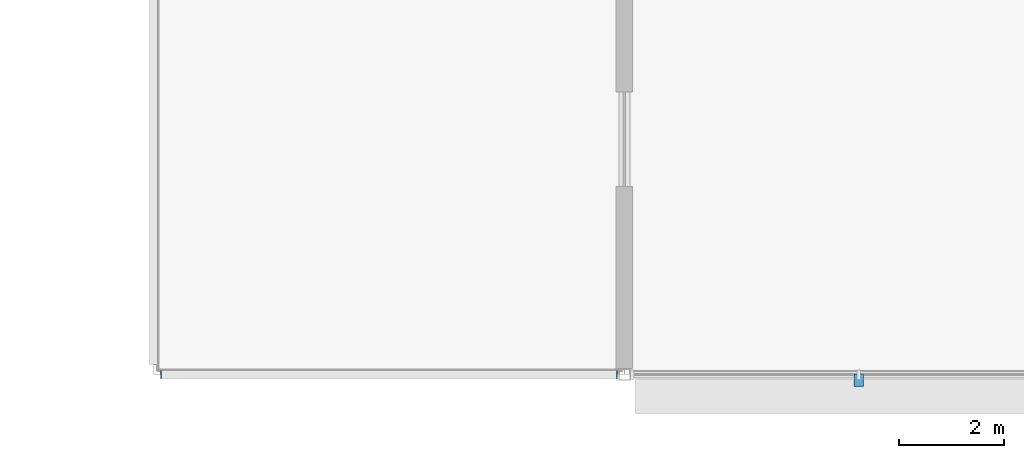
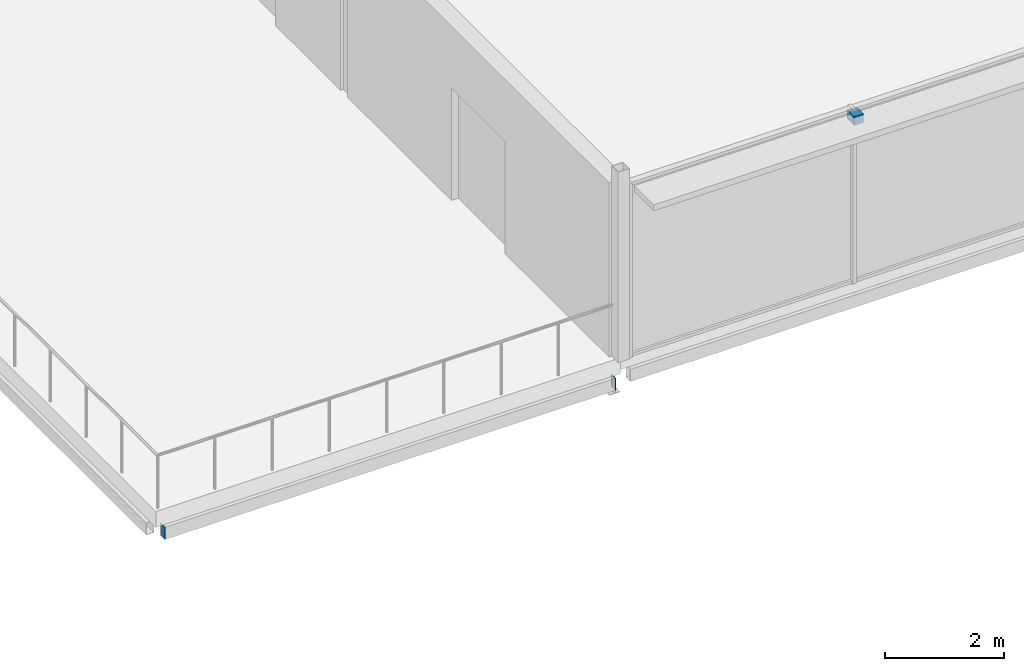
# One storey, part 39 of 55: 3 discrete accessories.
"""IFC4 building model written with IfcOpenShell, lengths in metres."""

import ifcopenshell
import ifcopenshell.guid

model = None  # the IFC model being written
_history = None  # IfcOwnerHistory: only IFC2X3 demands one
_inside = {}  # id of a spatial element -> (the spatial element, [elements in it])
_under = {}  # id of a project, library or spatial element -> (it, [spatial elements below it])
_declared = {}  # id of a project -> (the project, [libraries it declares])
_typed = {}  # id of a type object -> (the type object, [elements of that type])
_made_of = {}  # id of a material, layer set ... -> (it, [elements and type objects made of it])


def new_model(schema):
    """Start an empty IFC model of exactly this schema.

    Asked for "IFC4X3", IfcOpenShell would pick the latest addendum, in which some entities
    have other attributes; the version numbers below select the first issue.
    IFC2X3 requires an IfcOwnerHistory on every rooted entity: one is made here for all.
    """
    global model, _history
    if schema == "IFC4X3":
        model = ifcopenshell.file(schema_version=(4, 3, 0, 0))
    else:
        model = ifcopenshell.file(schema=schema)
    _inside.clear()
    _under.clear()
    _declared.clear()
    _typed.clear()
    _made_of.clear()
    _history = None
    if model.schema == "IFC2X3":
        org = make("IfcOrganization", Name="unknown")
        user = make(
            "IfcPersonAndOrganization",
            ThePerson=make("IfcPerson", FamilyName="unknown"),
            TheOrganization=org,
        )
        app = make(
            "IfcApplication",
            ApplicationDeveloper=org,
            Version="unknown",
            ApplicationFullName="unknown",
            ApplicationIdentifier="unknown",
        )
        _history = make(
            "IfcOwnerHistory",
            OwningUser=user,
            OwningApplication=app,
            ChangeAction="ADDED",
            CreationDate=0,
        )
    return model


def make(cls, **values):
    """One entity of the class cls with the attributes given. An attribute that is None is left unset."""
    return model.create_entity(
        cls, **{name: value for name, value in values.items() if value is not None}
    )


def rooted(cls, **values):
    """An entity with a GlobalId (a new one), such as an element, a storey or a relation."""
    return make(cls, GlobalId=ifcopenshell.guid.new(), OwnerHistory=_history, **values)


def si_unit(unit_type, name, prefix=None):
    """IfcSIUnit, for example si_unit("LENGTHUNIT", "METRE", prefix="MILLI")."""
    return make("IfcSIUnit", UnitType=unit_type, Prefix=prefix, Name=name)


def assignment(units):
    """IfcUnitAssignment: the units of a project."""
    return None if units is None else make("IfcUnitAssignment", Units=units)


def point(xyz):
    """IfcCartesianPoint."""
    return None if xyz is None else make("IfcCartesianPoint", Coordinates=xyz)


def direction(xyz):
    """IfcDirection."""
    return None if xyz is None else make("IfcDirection", DirectionRatios=xyz)


def frame(location, z_axis=None, x_axis=None):
    """IfcAxis2Placement3D, a coordinate frame: its origin and axes. An axis left out is left unset."""
    return make(
        "IfcAxis2Placement3D",
        Location=point(location),
        Axis=direction(z_axis),
        RefDirection=direction(x_axis),
    )


def frame_2d(location, x_axis=None):
    """IfcAxis2Placement2D, a coordinate frame in the plane: its origin and x axis."""
    return make(
        "IfcAxis2Placement2D", Location=point(location), RefDirection=direction(x_axis)
    )


def origin():
    """The frame at (0, 0, 0) with its axes left unset."""
    return frame((0.0, 0.0, 0.0))


def origin_2d():
    """The frame at (0, 0) in the plane with its x axis left unset."""
    return frame_2d((0.0, 0.0))


def place(relative_to, where):
    """IfcLocalPlacement: puts the frame where relative to a parent placement (None: the world)."""
    return make(
        "IfcLocalPlacement", PlacementRelTo=relative_to, RelativePlacement=where
    )


def context(
    kind, dimensions, precision=None, world=None, true_north=None, identifier=None
):
    """IfcGeometricRepresentationContext, for example the 3D "Model" context."""
    return make(
        "IfcGeometricRepresentationContext",
        ContextIdentifier=identifier,
        ContextType=kind,
        CoordinateSpaceDimension=dimensions,
        Precision=precision,
        WorldCoordinateSystem=world,
        TrueNorth=true_north,
    )


def subcontext(parent, identifier, kind, view, scale=None):
    """IfcGeometricRepresentationSubContext, for example "Body" below "Model"."""
    return make(
        "IfcGeometricRepresentationSubContext",
        ContextIdentifier=identifier,
        ContextType=kind,
        ParentContext=parent,
        TargetScale=scale,
        TargetView=view,
    )


def project(units=None, contexts=None):
    """IfcProject with its units and contexts."""
    return rooted(
        "IfcProject",
        Name="project",
        RepresentationContexts=contexts,
        UnitsInContext=assignment(units),
    )


def spatial(cls, under=None, at=None, **own):
    """A site, building, storey or space (cls), placed at a placement, below another one or the project."""
    s = rooted(cls, ObjectPlacement=at, **own)
    if under is not None:
        _under.setdefault(under.id(), (under, []))[1].append(s)
    return s


def polyline(points):
    """IfcPolyline through the points."""
    return make("IfcPolyline", Points=[point(p) for p in points])


def profile(cls, at=None, kind="AREA", **sizes):
    """A parametric profile (cls). Its sizes go by their IFC names, for example OverallWidth=200.0."""
    return make(cls, ProfileType=kind, Position=at, **sizes)


def rectangle(**sizes):
    """IfcRectangleProfileDef."""
    return profile("IfcRectangleProfileDef", **sizes)


def outline(outer, holes=None, kind="AREA"):
    """IfcArbitraryClosedProfileDef: a profile drawn as a closed curve; with holes, ...WithVoids."""
    if holes is None:
        return make("IfcArbitraryClosedProfileDef", ProfileType=kind, OuterCurve=outer)
    return make(
        "IfcArbitraryProfileDefWithVoids",
        ProfileType=kind,
        OuterCurve=outer,
        InnerCurves=holes,
    )


def extrude(swept, where, along, depth):
    """IfcExtrudedAreaSolid: the profile swept, set in the frame where, extruded along a direction by depth."""
    return make(
        "IfcExtrudedAreaSolid",
        SweptArea=swept,
        Position=where,
        ExtrudedDirection=direction(along),
        Depth=depth,
    )


def shape(context_of_items, identifier, shape_type, items):
    """IfcShapeRepresentation: the items that make up one representation, for example the "Body"."""
    return make(
        "IfcShapeRepresentation",
        ContextOfItems=context_of_items,
        RepresentationIdentifier=identifier,
        RepresentationType=shape_type,
        Items=items,
    )


def material(Name=None, Category=None):
    """IfcMaterial."""
    return make("IfcMaterial", Name=Name, Category=Category)


def layer(
    of_material, thickness, ventilated=None, Name=None, Category=None, Priority=None
):
    """IfcMaterialLayer: one layer of a wall or slab, of a material (None: an air gap)."""
    return make(
        "IfcMaterialLayer",
        Material=of_material,
        LayerThickness=thickness,
        IsVentilated=ventilated,
        Name=Name,
        Category=Category,
        Priority=Priority,
    )


def layer_set(layers, Name=None):
    """IfcMaterialLayerSet."""
    return make("IfcMaterialLayerSet", MaterialLayers=layers, LayerSetName=Name)


def made_of(thing, what):
    """Note that an element or type object is made of a material, layer set ...; save() writes the relation."""
    if what is not None:
        _made_of.setdefault(what.id(), (what, []))[1].append(thing)
    return thing


def type_object(cls, material=None, **own):
    """A type object (cls), such as IfcWallType, which elements share."""
    return made_of(rooted(cls, **own), material)


def element(
    cls,
    number,
    at=None,
    inside=None,
    cuts=None,
    type_object=None,
    material=None,
    context=None,
    identifier="Body",
    shape_type=None,
    held_by="IfcProductDefinitionShape",
    body=None,
    shapes=None,
    **own,
):
    """One element of the class cls, such as IfcWall. Its Tag is "e" and its number.

    at: its placement. inside: the storey or other place that contains it. cuts: it is an
    opening in that element (IfcRelVoidsElement). A single representation is given by context,
    identifier, shape_type and body (its items); several are given by shapes. held_by: the class
    of the entity that holds the representations. save() writes the other relations.
    """
    e = rooted(cls, Tag="e%d" % number, ObjectPlacement=at, **own)
    if body is not None:
        shapes = [shape(context, identifier, shape_type, body)]
    if shapes is not None:
        e.Representation = make(held_by, Representations=shapes)
    if inside is not None:
        _inside.setdefault(inside.id(), (inside, []))[1].append(e)
    if cuts is not None:
        rooted(
            "IfcRelVoidsElement", RelatingBuildingElement=cuts, RelatedOpeningElement=e
        )
    if type_object is not None:
        _typed.setdefault(type_object.id(), (type_object, []))[1].append(e)
    return made_of(e, material)


def aggregate(whole, parts):
    """IfcRelAggregates: a whole, such as a stair, and the parts it consists of."""
    return rooted("IfcRelAggregates", RelatingObject=whole, RelatedObjects=parts)


def save(model, path):
    """Write the relations noted so far, then the file.

    IfcRelAggregates (storeys below a building ...), IfcRelContainedInSpatialStructure (elements
    in a storey), IfcRelDefinesByType, IfcRelAssociatesMaterial and IfcRelDeclares: one each for
    every whole, place, type object, material and project.
    """
    for whole, parts in _under.values():
        aggregate(whole, parts)
    for where, things in _inside.values():
        rooted(
            "IfcRelContainedInSpatialStructure",
            RelatedElements=things,
            RelatingStructure=where,
        )
    for kind, things in _typed.values():
        rooted("IfcRelDefinesByType", RelatedObjects=things, RelatingType=kind)
    for what, things in _made_of.values():
        rooted("IfcRelAssociatesMaterial", RelatedObjects=things, RelatingMaterial=what)
    for by, libraries in _declared.values():
        rooted("IfcRelDeclares", RelatingContext=by, RelatedDefinitions=libraries)
    model.write(path)


model = new_model("IFC4")

# Units and contexts
model_context = context("Model", 3, precision=1e-05, world=origin(), true_north=direction((0.0, 1.0)))
body_context = subcontext(model_context, "Body", "Model", "MODEL_VIEW")
ifc_project = project(units=[si_unit("LENGTHUNIT", "METRE"), si_unit("AREAUNIT", "SQUARE_METRE"), si_unit("VOLUMEUNIT", "CUBIC_METRE"), si_unit("PLANEANGLEUNIT", "RADIAN"), si_unit("MASSUNIT", "GRAM", prefix="KILO")], contexts=[model_context])

# Site, building, storey
site_placement = place(None, origin())
site = spatial("IfcSite", under=ifc_project, at=site_placement, CompositionType="ELEMENT")
building_placement = place(site_placement, origin())
building = spatial("IfcBuilding", under=site, at=building_placement, Name="Kisiwana Market Hall", CompositionType="ELEMENT")
storey_placement = place(building_placement, frame((0.0, 0.0, 37.800048828125)))
storey = spatial("IfcBuildingStorey", under=building, at=storey_placement, Name="L08", CompositionType="ELEMENT", Elevation=37.800048828125)

# Discrete accessories
ifc_material_1 = material(Name="Steel S355", Category="steel")
discrete_accessory_type_1 = type_object("IfcDiscreteAccessoryType", Name="ACC-BRACKET-STL", PredefinedType="BRACKET", material=ifc_material_1)
discrete_accessory_1_placement = place(storey_placement, frame((166.47998046875, 8.889892578125, 3.35498046875), z_axis=(0.0, 0.0, 1.0), x_axis=(1.0, 0.0, 0.0)))
element("IfcDiscreteAccessory", 1, at=discrete_accessory_1_placement, inside=storey, type_object=discrete_accessory_type_1, Name="Sunshade steel bracket BRK-146", PredefinedType="BRACKET", context=body_context, shape_type="SweptSolid", body=[
    extrude(rectangle(XDim=0.179931640625, YDim=0.239990234375, at=origin_2d()), origin(), (0.0, 0.0, 1.0), 0.179931640625),
])
ifc_material_2 = material(Name="Steel S355", Category="steel")
ifc_layer = layer(ifc_material_2, 0.011962890625)
ifc_layer_set = layer_set([ifc_layer], Name="ACC-ENDCAP-STL")
discrete_accessory_type_2 = type_object("IfcDiscreteAccessoryType", Name="ACC-ENDCAP-STL", PredefinedType="USERDEFINED", material=ifc_layer_set)
discrete_accessory_2_placement = place(storey_placement, frame((0.0, 0.0, -0.574951171875)))
element("IfcDiscreteAccessory", 2, at=discrete_accessory_2_placement, inside=storey, type_object=discrete_accessory_type_2, Name="End cap plate EC-0105", ObjectType="End cap plate", PredefinedType="USERDEFINED", context=body_context, shape_type="SweptSolid", body=[
    extrude(outline(polyline([(161.85400390625, 8.925048828125), (161.865966796875, 8.925048828125), (161.865966796875, 9.074951171875), (161.85400390625, 9.074951171875), (161.85400390625, 8.925048828125)])), origin(), (0.0, 0.0, 1.0), 0.25),
])
discrete_accessory_3_placement = place(storey_placement, frame((0.0, 0.0, -0.574951171875)))
element("IfcDiscreteAccessory", 3, at=discrete_accessory_3_placement, inside=storey, type_object=discrete_accessory_type_2, Name="End cap plate EC-0106", ObjectType="End cap plate", PredefinedType="USERDEFINED", context=body_context, shape_type="SweptSolid", body=[
    extrude(outline(polyline([(153.14599609375, 8.925048828125), (153.14599609375, 9.074951171875), (153.134033203125, 9.074951171875), (153.134033203125, 8.925048828125), (153.14599609375, 8.925048828125)])), origin(), (0.0, 0.0, 1.0), 0.25),
])

save(model, "model.ifc")
